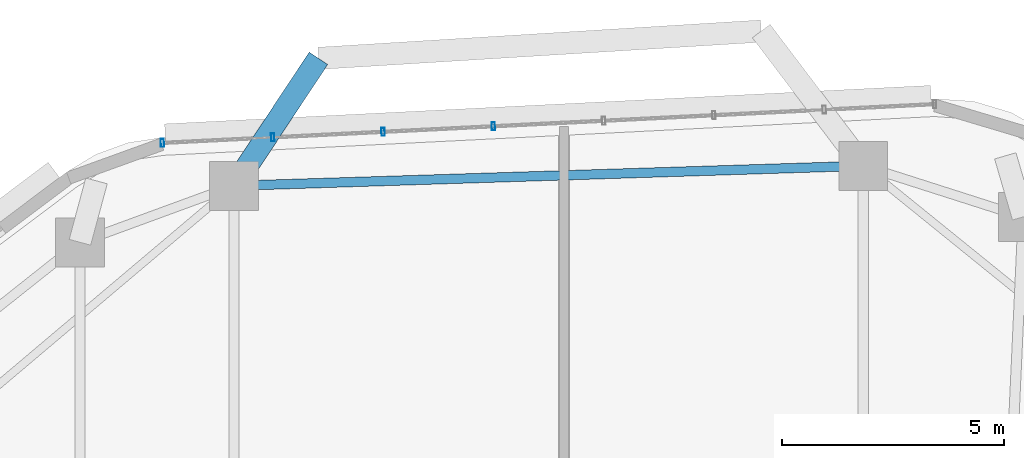
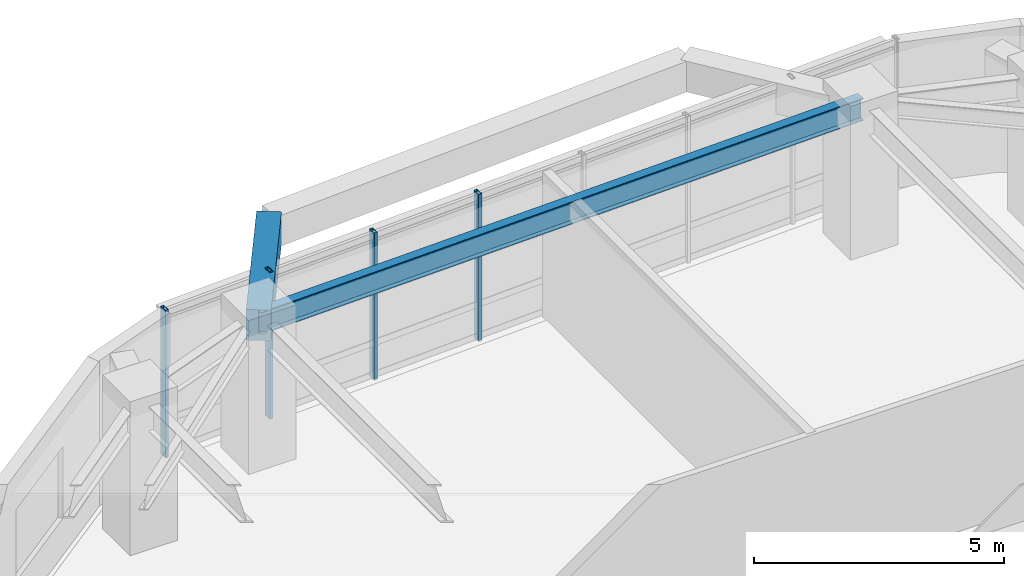
# One storey, part 2 of 14: 4 members, 2 beams, 1 element without a shape of its own.
"""IFC4 building model written with IfcOpenShell, lengths in metres."""

from ifc_helpers import new_model, si_unit, direction, frame, origin, origin_2d, place, context, subcontext, project, spatial, rectangle, hollow_rectangle, i_section, extrude, material, material_profile, profile_set, type_object, element, aggregate, save


model = new_model("IFC4")

# Units and contexts
model_context = context("Model", 3, precision=1e-05, world=origin(), true_north=direction((0.0, 1.0)))
body_context = subcontext(model_context, "Body", "Model", "MODEL_VIEW")
ifc_project = project(units=[si_unit("LENGTHUNIT", "METRE"), si_unit("AREAUNIT", "SQUARE_METRE"), si_unit("VOLUMEUNIT", "CUBIC_METRE"), si_unit("PLANEANGLEUNIT", "RADIAN"), si_unit("MASSUNIT", "GRAM", prefix="KILO")], contexts=[model_context])

# Site, building, storey
site_placement = place(None, origin())
site = spatial("IfcSite", under=ifc_project, at=site_placement, CompositionType="ELEMENT")
building_placement = place(site_placement, origin())
building = spatial("IfcBuilding", under=site, at=building_placement, Name="Zulverin Broadcast Headquarters", CompositionType="ELEMENT")
storey_placement = place(building_placement, frame((0.0, 0.0, 147.800048828125)))
storey = spatial("IfcBuildingStorey", under=building, at=storey_placement, Name="L37", CompositionType="ELEMENT", Elevation=147.800048828125)

# Beams
ifc_material_1 = material(Name="Concrete C40/50", Category="concrete")
ifc_material_profile_1 = material_profile(ifc_material_1, rectangle(XDim=0.5, YDim=0.75, at=origin_2d()), Name="Concrete C40/50", Category="concrete")
ifc_profile_set_1 = profile_set([ifc_material_profile_1], Name="Concrete C40/50")
beam_type_1 = type_object("IfcBeamType", Name="BM-RC-500x750", PredefinedType="BEAM", material=ifc_profile_set_1)
beam_1_placement = place(storey_placement, frame((30.882080078125, 46.27490234375, 3.1650390625), z_axis=(0.552025267535, 0.833827382618, 0.0), x_axis=(-0.833827382618, 0.552025267535, 0.0)))
element("IfcBeam", 1, at=beam_1_placement, inside=storey, type_object=beam_type_1, Name="L38 Balcony Column-Framed Cantilever BAL_N-2", PredefinedType="BEAM", context=body_context, shape_type="SweptSolid", body=[
    extrude(rectangle(XDim=0.5, YDim=0.75, at=origin_2d()), origin(), (0.0, 0.0, 1.0), 3.436767578125),
])
ifc_material_2 = material(Name="Structural steel S355JR", Category="steel")
ifc_material_profile_2 = material_profile(ifc_material_2, i_section(OverallWidth=0.2119140625, OverallDepth=0.54443359375, WebThickness=0.0126953125, FlangeThickness=0.021240234375, at=origin_2d()), Name="Structural steel S355JR", Category="steel")
ifc_profile_set_2 = profile_set([ifc_material_profile_2], Name="Structural steel S355JR")
beam_type_2 = type_object("IfcBeamType", Name="BM-UB-533", PredefinedType="SPANDREL", material=ifc_profile_set_2)
beam_2_placement = place(storey_placement, frame((45.027587890625, 46.7236328125, 3.267578125), z_axis=(-0.999497221833, -0.031706522156, 0.0), x_axis=(0.031706522156, -0.999497221833, 0.0)))
element("IfcBeam", 2, at=beam_2_placement, inside=storey, type_object=beam_type_2, Name="L37 Perimeter Spandrel Beam SP-09", PredefinedType="SPANDREL", context=body_context, shape_type="SweptSolid", body=[
    extrude(i_section(OverallWidth=0.2119140625, OverallDepth=0.54443359375, WebThickness=0.0126953125, FlangeThickness=0.021240234375, at=origin_2d()), origin(), (0.0, 0.0, 1.0), 14.152587890625),
])

# Curtain wall, members
ifc_material_3 = material(Name="Waist wind-pressure unitised curtain wall", Category="aluminium")
curtain_wall_type = type_object("IfcCurtainWallType", Name="CW-TWR-WST", PredefinedType="USERDEFINED", material=ifc_material_3)
curtain_wall_placement = place(storey_placement, origin())
curtain_wall = element("IfcCurtainWall", 3, at=curtain_wall_placement, inside=storey, type_object=curtain_wall_type, Name="L37 Unitised Curtain Wall CW-L37-E5", ObjectType="UNITISED CURTAIN WALL", PredefinedType="USERDEFINED")
ifc_material_4 = material(Name="Anodized pale-metal aluminium alloy 6063-T6", Category="aluminium")
ifc_material_profile_3 = material_profile(ifc_material_4, hollow_rectangle(XDim=0.074951171875, YDim=0.179931640625, WallThickness=0.0048828125, at=origin_2d()), Name="Anodized pale-metal aluminium alloy 6063-T6", Category="aluminium")
ifc_profile_set_3 = profile_set([ifc_material_profile_3], Name="Anodized pale-metal aluminium alloy 6063-T6")
member_type = type_object("IfcMemberType", Name="CW-MUL-180", PredefinedType="MULLION", material=ifc_profile_set_3)
member_1_placement = place(storey_placement, frame((36.711181640625, 47.61328125, -0.030029296875), z_axis=(0.0, 0.0, 1.0), x_axis=(-0.998743962301, -0.050104867704, 0.0)))
member_1 = element("IfcMember", 4, at=member_1_placement, type_object=member_type, Name="CW-L37-E5 Mullion 04", PredefinedType="MULLION", context=body_context, shape_type="SweptSolid", body=[
    extrude(hollow_rectangle(XDim=0.074951171875, YDim=0.179931640625, WallThickness=0.0048828125, at=origin_2d()), origin(), (0.0, 0.0, 1.0), 3.60009765625),
])
member_2_placement = place(storey_placement, frame((34.231201171875, 47.489013671875, -0.030029296875), z_axis=(0.0, 0.0, 1.0), x_axis=(-0.998743962301, -0.050104867704, 0.0)))
member_2 = element("IfcMember", 5, at=member_2_placement, type_object=member_type, Name="CW-L37-E5 Mullion 05", PredefinedType="MULLION", context=body_context, shape_type="SweptSolid", body=[
    extrude(hollow_rectangle(XDim=0.074951171875, YDim=0.179931640625, WallThickness=0.0048828125, at=origin_2d()), origin(), (0.0, 0.0, 1.0), 3.60009765625),
])
member_3_placement = place(storey_placement, frame((31.751220703125, 47.364501953125, -0.030029296875), z_axis=(0.0, 0.0, 1.0), x_axis=(-0.998743962301, -0.050104867704, 0.0)))
member_3 = element("IfcMember", 6, at=member_3_placement, type_object=member_type, Name="CW-L37-E5 Mullion 06", PredefinedType="MULLION", context=body_context, shape_type="SweptSolid", body=[
    extrude(hollow_rectangle(XDim=0.074951171875, YDim=0.179931640625, WallThickness=0.0048828125, at=origin_2d()), origin(), (0.0, 0.0, 1.0), 3.60009765625),
])
member_4_placement = place(storey_placement, frame((29.271240234375, 47.239990234375, -0.030029296875), z_axis=(0.0, 0.0, 1.0), x_axis=(-0.998743962301, -0.050104867704, 0.0)))
member_4 = element("IfcMember", 7, at=member_4_placement, type_object=member_type, Name="CW-L37-E5 Mullion 07", PredefinedType="MULLION", context=body_context, shape_type="SweptSolid", body=[
    extrude(hollow_rectangle(XDim=0.074951171875, YDim=0.179931640625, WallThickness=0.0048828125, at=origin_2d()), origin(), (0.0, 0.0, 1.0), 3.60009765625),
])
aggregate(curtain_wall, [member_1, member_2, member_3, member_4])

save(model, "model.ifc")
